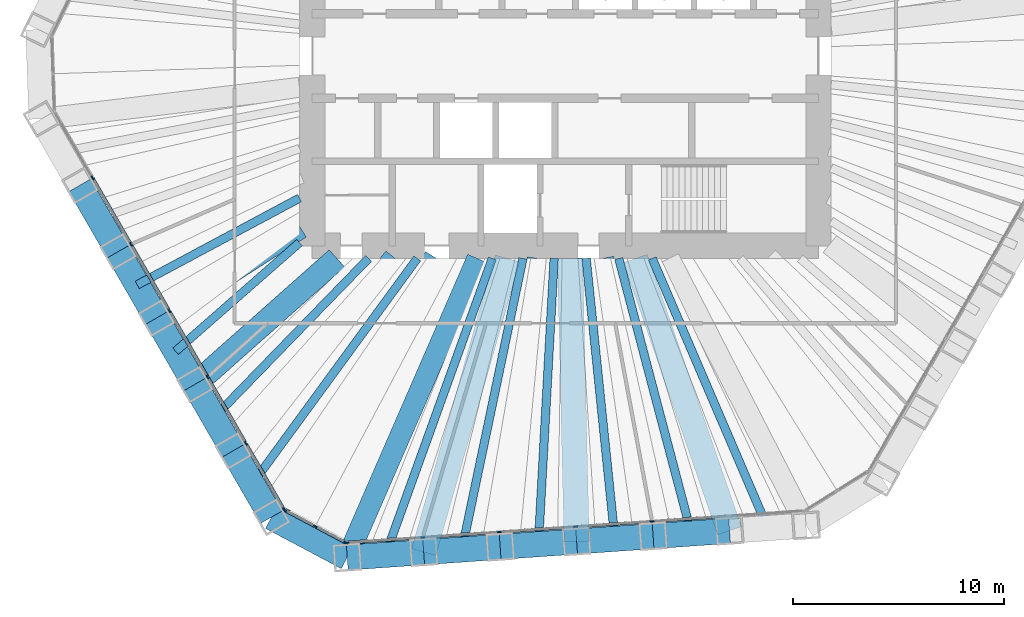
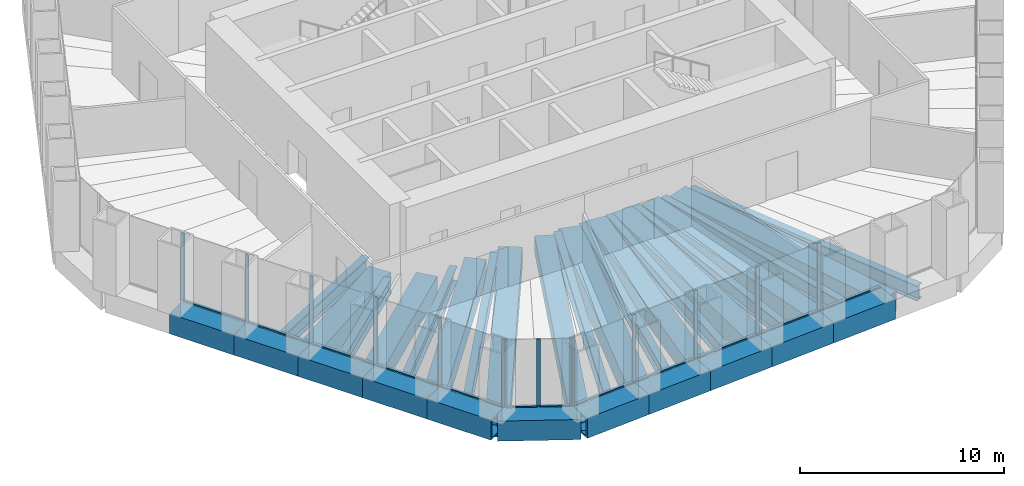
# One storey, part 2 of 20: 37 members, 20 beams, 3 elements without a shape of their own.
"""IFC4 building model written with IfcOpenShell, lengths in metres."""

import ifcopenshell
import ifcopenshell.guid

model = None  # the IFC model being written
_history = None  # IfcOwnerHistory: only IFC2X3 demands one
_inside = {}  # id of a spatial element -> (the spatial element, [elements in it])
_under = {}  # id of a project, library or spatial element -> (it, [spatial elements below it])
_declared = {}  # id of a project -> (the project, [libraries it declares])
_typed = {}  # id of a type object -> (the type object, [elements of that type])
_made_of = {}  # id of a material, layer set ... -> (it, [elements and type objects made of it])


def new_model(schema):
    """Start an empty IFC model of exactly this schema.

    Asked for "IFC4X3", IfcOpenShell would pick the latest addendum, in which some entities
    have other attributes; the version numbers below select the first issue.
    IFC2X3 requires an IfcOwnerHistory on every rooted entity: one is made here for all.
    """
    global model, _history
    if schema == "IFC4X3":
        model = ifcopenshell.file(schema_version=(4, 3, 0, 0))
    else:
        model = ifcopenshell.file(schema=schema)
    _inside.clear()
    _under.clear()
    _declared.clear()
    _typed.clear()
    _made_of.clear()
    _history = None
    if model.schema == "IFC2X3":
        org = make("IfcOrganization", Name="unknown")
        user = make(
            "IfcPersonAndOrganization",
            ThePerson=make("IfcPerson", FamilyName="unknown"),
            TheOrganization=org,
        )
        app = make(
            "IfcApplication",
            ApplicationDeveloper=org,
            Version="unknown",
            ApplicationFullName="unknown",
            ApplicationIdentifier="unknown",
        )
        _history = make(
            "IfcOwnerHistory",
            OwningUser=user,
            OwningApplication=app,
            ChangeAction="ADDED",
            CreationDate=0,
        )
    return model


def make(cls, **values):
    """One entity of the class cls with the attributes given. An attribute that is None is left unset."""
    return model.create_entity(
        cls, **{name: value for name, value in values.items() if value is not None}
    )


def rooted(cls, **values):
    """An entity with a GlobalId (a new one), such as an element, a storey or a relation."""
    return make(cls, GlobalId=ifcopenshell.guid.new(), OwnerHistory=_history, **values)


def si_unit(unit_type, name, prefix=None):
    """IfcSIUnit, for example si_unit("LENGTHUNIT", "METRE", prefix="MILLI")."""
    return make("IfcSIUnit", UnitType=unit_type, Prefix=prefix, Name=name)


def assignment(units):
    """IfcUnitAssignment: the units of a project."""
    return None if units is None else make("IfcUnitAssignment", Units=units)


def point(xyz):
    """IfcCartesianPoint."""
    return None if xyz is None else make("IfcCartesianPoint", Coordinates=xyz)


def direction(xyz):
    """IfcDirection."""
    return None if xyz is None else make("IfcDirection", DirectionRatios=xyz)


def frame(location, z_axis=None, x_axis=None):
    """IfcAxis2Placement3D, a coordinate frame: its origin and axes. An axis left out is left unset."""
    return make(
        "IfcAxis2Placement3D",
        Location=point(location),
        Axis=direction(z_axis),
        RefDirection=direction(x_axis),
    )


def frame_2d(location, x_axis=None):
    """IfcAxis2Placement2D, a coordinate frame in the plane: its origin and x axis."""
    return make(
        "IfcAxis2Placement2D", Location=point(location), RefDirection=direction(x_axis)
    )


def origin():
    """The frame at (0, 0, 0) with its axes left unset."""
    return frame((0.0, 0.0, 0.0))


def origin_2d():
    """The frame at (0, 0) in the plane with its x axis left unset."""
    return frame_2d((0.0, 0.0))


def place(relative_to, where):
    """IfcLocalPlacement: puts the frame where relative to a parent placement (None: the world)."""
    return make(
        "IfcLocalPlacement", PlacementRelTo=relative_to, RelativePlacement=where
    )


def context(
    kind, dimensions, precision=None, world=None, true_north=None, identifier=None
):
    """IfcGeometricRepresentationContext, for example the 3D "Model" context."""
    return make(
        "IfcGeometricRepresentationContext",
        ContextIdentifier=identifier,
        ContextType=kind,
        CoordinateSpaceDimension=dimensions,
        Precision=precision,
        WorldCoordinateSystem=world,
        TrueNorth=true_north,
    )


def subcontext(parent, identifier, kind, view, scale=None):
    """IfcGeometricRepresentationSubContext, for example "Body" below "Model"."""
    return make(
        "IfcGeometricRepresentationSubContext",
        ContextIdentifier=identifier,
        ContextType=kind,
        ParentContext=parent,
        TargetScale=scale,
        TargetView=view,
    )


def project(units=None, contexts=None):
    """IfcProject with its units and contexts."""
    return rooted(
        "IfcProject",
        Name="project",
        RepresentationContexts=contexts,
        UnitsInContext=assignment(units),
    )


def spatial(cls, under=None, at=None, **own):
    """A site, building, storey or space (cls), placed at a placement, below another one or the project."""
    s = rooted(cls, ObjectPlacement=at, **own)
    if under is not None:
        _under.setdefault(under.id(), (under, []))[1].append(s)
    return s


def profile(cls, at=None, kind="AREA", **sizes):
    """A parametric profile (cls). Its sizes go by their IFC names, for example OverallWidth=200.0."""
    return make(cls, ProfileType=kind, Position=at, **sizes)


def rectangle(**sizes):
    """IfcRectangleProfileDef."""
    return profile("IfcRectangleProfileDef", **sizes)


def hollow_rectangle(**sizes):
    """IfcRectangleHollowProfileDef."""
    return profile("IfcRectangleHollowProfileDef", **sizes)


def i_section(**sizes):
    """IfcIShapeProfileDef."""
    return profile("IfcIShapeProfileDef", **sizes)


def extrude(swept, where, along, depth):
    """IfcExtrudedAreaSolid: the profile swept, set in the frame where, extruded along a direction by depth."""
    return make(
        "IfcExtrudedAreaSolid",
        SweptArea=swept,
        Position=where,
        ExtrudedDirection=direction(along),
        Depth=depth,
    )


def shape(context_of_items, identifier, shape_type, items):
    """IfcShapeRepresentation: the items that make up one representation, for example the "Body"."""
    return make(
        "IfcShapeRepresentation",
        ContextOfItems=context_of_items,
        RepresentationIdentifier=identifier,
        RepresentationType=shape_type,
        Items=items,
    )


def material(Name=None, Category=None):
    """IfcMaterial."""
    return make("IfcMaterial", Name=Name, Category=Category)


def material_profile(
    of_material, cross_section, Name=None, Category=None, Priority=None
):
    """IfcMaterialProfile: a cross section and its material."""
    return make(
        "IfcMaterialProfile",
        Name=Name,
        Material=of_material,
        Profile=cross_section,
        Priority=Priority,
        Category=Category,
    )


def profile_set(profiles, Name=None, composite=None):
    """IfcMaterialProfileSet."""
    return make(
        "IfcMaterialProfileSet",
        Name=Name,
        MaterialProfiles=profiles,
        CompositeProfile=composite,
    )


def made_of(thing, what):
    """Note that an element or type object is made of a material, layer set ...; save() writes the relation."""
    if what is not None:
        _made_of.setdefault(what.id(), (what, []))[1].append(thing)
    return thing


def type_object(cls, material=None, **own):
    """A type object (cls), such as IfcWallType, which elements share."""
    return made_of(rooted(cls, **own), material)


def element(
    cls,
    number,
    at=None,
    inside=None,
    cuts=None,
    type_object=None,
    material=None,
    context=None,
    identifier="Body",
    shape_type=None,
    held_by="IfcProductDefinitionShape",
    body=None,
    shapes=None,
    **own,
):
    """One element of the class cls, such as IfcWall. Its Tag is "e" and its number.

    at: its placement. inside: the storey or other place that contains it. cuts: it is an
    opening in that element (IfcRelVoidsElement). A single representation is given by context,
    identifier, shape_type and body (its items); several are given by shapes. held_by: the class
    of the entity that holds the representations. save() writes the other relations.
    """
    e = rooted(cls, Tag="e%d" % number, ObjectPlacement=at, **own)
    if body is not None:
        shapes = [shape(context, identifier, shape_type, body)]
    if shapes is not None:
        e.Representation = make(held_by, Representations=shapes)
    if inside is not None:
        _inside.setdefault(inside.id(), (inside, []))[1].append(e)
    if cuts is not None:
        rooted(
            "IfcRelVoidsElement", RelatingBuildingElement=cuts, RelatedOpeningElement=e
        )
    if type_object is not None:
        _typed.setdefault(type_object.id(), (type_object, []))[1].append(e)
    return made_of(e, material)


def aggregate(whole, parts):
    """IfcRelAggregates: a whole, such as a stair, and the parts it consists of."""
    return rooted("IfcRelAggregates", RelatingObject=whole, RelatedObjects=parts)


def save(model, path):
    """Write the relations noted so far, then the file.

    IfcRelAggregates (storeys below a building ...), IfcRelContainedInSpatialStructure (elements
    in a storey), IfcRelDefinesByType, IfcRelAssociatesMaterial and IfcRelDeclares: one each for
    every whole, place, type object, material and project.
    """
    for whole, parts in _under.values():
        aggregate(whole, parts)
    for where, things in _inside.values():
        rooted(
            "IfcRelContainedInSpatialStructure",
            RelatedElements=things,
            RelatingStructure=where,
        )
    for kind, things in _typed.values():
        rooted("IfcRelDefinesByType", RelatedObjects=things, RelatingType=kind)
    for what, things in _made_of.values():
        rooted("IfcRelAssociatesMaterial", RelatedObjects=things, RelatingMaterial=what)
    for by, libraries in _declared.values():
        rooted("IfcRelDeclares", RelatingContext=by, RelatedDefinitions=libraries)
    model.write(path)


model = new_model("IFC4")

# Units and contexts
model_context = context("Model", 3, precision=1e-05, world=origin(), true_north=direction((0.0, 1.0)))
body_context = subcontext(model_context, "Body", "Model", "MODEL_VIEW")
ifc_project = project(units=[si_unit("LENGTHUNIT", "METRE"), si_unit("AREAUNIT", "SQUARE_METRE"), si_unit("VOLUMEUNIT", "CUBIC_METRE"), si_unit("PLANEANGLEUNIT", "RADIAN"), si_unit("MASSUNIT", "GRAM", prefix="KILO")], contexts=[model_context])

# Site, building, storey
site_placement = place(None, origin())
site = spatial("IfcSite", under=ifc_project, at=site_placement, CompositionType="ELEMENT")
building_placement = place(site_placement, origin())
building = spatial("IfcBuilding", under=site, at=building_placement, Name="Qingtian Harvest Tower", CompositionType="ELEMENT")
storey_placement = place(building_placement, frame((0.0, 0.0, 180.39990234375)))
storey = spatial("IfcBuildingStorey", under=building, at=storey_placement, Name="L38", CompositionType="ELEMENT", Elevation=180.39990234375)

# Members
ifc_material_1 = material(Name="Steel SM570MC", Category="steel")
ifc_material_profile_1 = material_profile(ifc_material_1, hollow_rectangle(XDim=1.199951171875, YDim=1.199951171875, WallThickness=0.10009765625, at=origin_2d()), Name="BOX1200x1200x100")
ifc_profile_set_1 = profile_set([ifc_material_profile_1], Name="Steel SM570MC")
member_type_1 = type_object("IfcMemberType", Name="Belt truss chord BC2 BOX1200x1200x100", PredefinedType="CHORD", material=ifc_profile_set_1)
for number, where, z_axis, x_axis, name in (
    (1, (7.78515625, -22.51171875, -0.599853515625), (-0.997565001055, -0.069742875402, 0.0), (0.069742875402, -0.997565001055, 0.0), "Belt chord BC2 S1"),
    (2, (4.160400390625, -22.76513671875, -0.599853515625), (-0.997560324246, -0.069809737785, 0.0), (0.069809737785, -0.997560324246, 0.0), "Belt chord BC2 S2"),
    (3, (0.53564453125, -23.018798828125, -0.599853515625), (-0.997565001055, -0.069742875402, 0.0), (0.069742875402, -0.997565001055, 0.0), "Belt chord BC2 S3"),
):
    element("IfcMember", number, at=place(storey_placement, frame(where, z_axis=z_axis, x_axis=x_axis)), inside=storey, type_object=member_type_1, Name=name, PredefinedType="CHORD", context=body_context, shape_type="SweptSolid", body=[
        extrude(hollow_rectangle(XDim=1.199951171875, YDim=1.199951171875, WallThickness=0.10009765625, at=origin_2d()), origin(), (0.0, 0.0, 1.0), 3.633544921875),
    ])
member_1_placement = place(storey_placement, frame((-3.089111328125, -23.272216796875, -0.599853515625), z_axis=(-0.997564674207, -0.069747550305, 0.0), x_axis=(0.069747550305, -0.997564674207, 0.0)))
element("IfcMember", 4, at=member_1_placement, inside=storey, type_object=member_type_1, Name="Belt chord BC2 S4", PredefinedType="CHORD", context=body_context, shape_type="SweptSolid", body=[
    extrude(hollow_rectangle(XDim=1.199951171875, YDim=1.199951171875, WallThickness=0.10009765625, at=origin_2d()), origin(), (0.0, 0.0, 1.0), 3.63330078125),
])
member_2_placement = place(storey_placement, frame((-6.713623046875, -23.525634765625, -0.599853515625), z_axis=(-0.997565001055, -0.069742875402, 0.0), x_axis=(0.069742875402, -0.997565001055, 0.0)))
element("IfcMember", 5, at=member_2_placement, inside=storey, type_object=member_type_1, Name="Belt chord BC2 S5", PredefinedType="CHORD", context=body_context, shape_type="SweptSolid", body=[
    extrude(hollow_rectangle(XDim=1.199951171875, YDim=1.199951171875, WallThickness=0.10009765625, at=origin_2d()), origin(), (0.0, 0.0, 1.0), 3.633544921875),
])
member_3_placement = place(storey_placement, frame((-10.33837890625, -23.779052734375, -0.599853515625), z_axis=(-0.882968133669, 0.469432929101, 0.0), x_axis=(-0.469432929101, -0.882968133669, 0.0)))
element("IfcMember", 6, at=member_3_placement, inside=storey, type_object=member_type_1, Name="Belt chord BC2 SC", PredefinedType="CHORD", context=body_context, shape_type="SweptSolid", body=[
    extrude(hollow_rectangle(XDim=1.199951171875, YDim=1.199951171875, WallThickness=0.10009765625, at=origin_2d()), origin(), (0.0, 0.0, 1.0), 4.070556640625),
])
member_4_placement = place(storey_placement, frame((-13.9326171875, -21.8681640625, -0.599853515625), z_axis=(-0.499947341849, 0.866055803848, 0.0), x_axis=(-0.866055803848, -0.499947341849, 0.0)))
element("IfcMember", 7, at=member_4_placement, inside=storey, type_object=member_type_1, Name="Belt chord BC2 SW0", PredefinedType="CHORD", context=body_context, shape_type="SweptSolid", body=[
    extrude(hollow_rectangle(XDim=1.199951171875, YDim=1.199951171875, WallThickness=0.10009765625, at=origin_2d()), origin(), (0.0, 0.0, 1.0), 3.6337890625),
])
for number, where, z_axis, x_axis, name in (
    (8, (-15.749267578125, -18.72119140625, -0.599853515625), (-0.500026827678, 0.866009914263, 0.0), (-0.866009914263, -0.500026827678, 0.0), "Belt chord BC2 SW1"),
    (9, (-17.566162109375, -15.574462890625, -0.599853515625), (-0.499976434558, 0.866039008871, 0.0), (-0.866039008871, -0.499976434558, 0.0), "Belt chord BC2 SW2"),
    (10, (-19.3828125, -12.427734375, -0.599853515625), (-0.500026827678, 0.866009914263, 0.0), (-0.866009914263, -0.500026827678, 0.0), "Belt chord BC2 SW3"),
    (11, (-21.19970703125, -9.281005859375, -0.599853515625), (-0.499976434558, 0.866039008871, 0.0), (-0.866039008871, -0.499976434558, 0.0), "Belt chord BC2 SW4"),
):
    element("IfcMember", number, at=place(storey_placement, frame(where, z_axis=z_axis, x_axis=x_axis)), inside=storey, type_object=member_type_1, Name=name, PredefinedType="CHORD", context=body_context, shape_type="SweptSolid", body=[
        extrude(hollow_rectangle(XDim=1.199951171875, YDim=1.199951171875, WallThickness=0.10009765625, at=origin_2d()), origin(), (0.0, 0.0, 1.0), 3.633544921875),
    ])

# Beams
ifc_material_2 = material(Name="Steel SN490B", Category="steel")
ifc_material_profile_2 = material_profile(ifc_material_2, i_section(OverallWidth=0.39990234375, OverallDepth=0.89990234375, WebThickness=0.01904296875, FlangeThickness=0.035888671875, at=origin_2d()), Name="H900x400x19x36")
ifc_profile_set_2 = profile_set([ifc_material_profile_2], Name="Steel SN490B")
beam_type_1 = type_object("IfcBeamType", Name="Floor joist J4 H900x400x19x36", PredefinedType="JOIST", material=ifc_profile_set_2)
beam_1_placement = place(storey_placement, frame((9.597412109375, -22.385009765625, -0.619873046875), z_axis=(-0.394052741766, 0.919087828614, 0.0), x_axis=(-0.919087828614, -0.394052741766, 0.0)))
element("IfcBeam", 12, at=beam_1_placement, inside=storey, type_object=beam_type_1, Name="Floor joist J4 S0", PredefinedType="JOIST", context=body_context, shape_type="SweptSolid", body=[
    extrude(i_section(OverallWidth=0.39990234375, OverallDepth=0.89990234375, WebThickness=0.01904296875, FlangeThickness=0.035888671875, at=origin_2d()), origin(), (0.0, 0.0, 1.0), 13.910400390625),
])
beam_2_placement = place(storey_placement, frame((5.97265625, -22.638427734375, -0.619873046875), z_axis=(-0.255103716232, 0.9669136952, 0.0), x_axis=(-0.9669136952, -0.255103716232, 0.0)))
element("IfcBeam", 13, at=beam_2_placement, inside=storey, type_object=beam_type_1, Name="Floor joist J4 S1", PredefinedType="JOIST", context=body_context, shape_type="SweptSolid", body=[
    extrude(i_section(OverallWidth=0.39990234375, OverallDepth=0.89990234375, WebThickness=0.01904296875, FlangeThickness=0.035888671875, at=origin_2d()), origin(), (0.0, 0.0, 1.0), 13.484375),
])
beam_3_placement = place(storey_placement, frame((2.347900390625, -22.89208984375, -0.619873046875), z_axis=(-0.102028865499, 0.994781438611, 0.0), x_axis=(-0.994781438611, -0.102028865499, 0.0)))
element("IfcBeam", 14, at=beam_3_placement, inside=storey, type_object=beam_type_1, Name="Floor joist J4 S2", PredefinedType="JOIST", context=body_context, shape_type="SweptSolid", body=[
    extrude(i_section(OverallWidth=0.39990234375, OverallDepth=0.89990234375, WebThickness=0.01904296875, FlangeThickness=0.035888671875, at=origin_2d()), origin(), (0.0, 0.0, 1.0), 13.36181640625),
])
beam_4_placement = place(storey_placement, frame((-1.276611328125, -23.1455078125, -0.619873046875), z_axis=(0.055069329716, 0.998482533109, 0.0), x_axis=(-0.998482533109, 0.055069329716, 0.0)))
element("IfcBeam", 15, at=beam_4_placement, inside=storey, type_object=beam_type_1, Name="Floor joist J4 S3", PredefinedType="JOIST", context=body_context, shape_type="SweptSolid", body=[
    extrude(i_section(OverallWidth=0.39990234375, OverallDepth=0.89990234375, WebThickness=0.01904296875, FlangeThickness=0.035888671875, at=origin_2d()), origin(), (0.0, 0.0, 1.0), 13.56591796875),
])
beam_5_placement = place(storey_placement, frame((-4.9013671875, -23.39892578125, -0.619873046875), z_axis=(0.205016322093, 0.978758554331, 0.0), x_axis=(-0.978758554331, 0.205016322093, 0.0)))
element("IfcBeam", 16, at=beam_5_placement, inside=storey, type_object=beam_type_1, Name="Floor joist J4 S4", PredefinedType="JOIST", context=body_context, shape_type="SweptSolid", body=[
    extrude(i_section(OverallWidth=0.39990234375, OverallDepth=0.89990234375, WebThickness=0.01904296875, FlangeThickness=0.035888671875, at=origin_2d()), origin(), (0.0, 0.0, 1.0), 14.098388671875),
])
beam_6_placement = place(storey_placement, frame((-8.526123046875, -23.65234375, -0.619873046875), z_axis=(0.339126305921, 0.940740850943, 0.0), x_axis=(-0.940740850943, 0.339126305921, 0.0)))
element("IfcBeam", 17, at=beam_6_placement, inside=storey, type_object=beam_type_1, Name="Floor joist J4 S5", PredefinedType="JOIST", context=body_context, shape_type="SweptSolid", body=[
    extrude(i_section(OverallWidth=0.39990234375, OverallDepth=0.89990234375, WebThickness=0.01904296875, FlangeThickness=0.035888671875, at=origin_2d()), origin(), (0.0, 0.0, 1.0), 14.9375),
])
beam_7_placement = place(storey_placement, frame((-14.841064453125, -20.294677734375, -0.619873046875), z_axis=(0.590288677526, 0.807192218238, 0.0), x_axis=(-0.807192218238, 0.590288677526, 0.0)))
element("IfcBeam", 18, at=beam_7_placement, inside=storey, type_object=beam_type_1, Name="Floor joist J4 SW0", PredefinedType="JOIST", context=body_context, shape_type="SweptSolid", body=[
    extrude(i_section(OverallWidth=0.39990234375, OverallDepth=0.89990234375, WebThickness=0.01904296875, FlangeThickness=0.035888671875, at=origin_2d()), origin(), (0.0, 0.0, 1.0), 13.2490234375),
])
beam_8_placement = place(storey_placement, frame((-16.65771484375, -17.14794921875, -0.619873046875), z_axis=(0.696777499009, 0.717287332158, 0.0), x_axis=(-0.717287332158, 0.696777499009, 0.0)))
element("IfcBeam", 19, at=beam_8_placement, inside=storey, type_object=beam_type_1, Name="Floor joist J4 SW1", PredefinedType="JOIST", context=body_context, shape_type="SweptSolid", body=[
    extrude(i_section(OverallWidth=0.39990234375, OverallDepth=0.89990234375, WebThickness=0.01904296875, FlangeThickness=0.035888671875, at=origin_2d()), origin(), (0.0, 0.0, 1.0), 10.522705078125),
])
beam_9_placement = place(storey_placement, frame((-18.474609375, -14.001220703125, -0.619873046875), z_axis=(0.751883296969, 0.659296221542, 0.0), x_axis=(-0.659296221542, 0.751883296969, 0.0)))
element("IfcBeam", 20, at=beam_9_placement, inside=storey, type_object=beam_type_1, Name="Floor joist J4 SW2", PredefinedType="JOIST", context=body_context, shape_type="SweptSolid", body=[
    extrude(i_section(OverallWidth=0.39990234375, OverallDepth=0.89990234375, WebThickness=0.01904296875, FlangeThickness=0.035888671875, at=origin_2d()), origin(), (0.0, 0.0, 1.0), 7.81298828125),
])
beam_10_placement = place(storey_placement, frame((-20.291259765625, -10.8544921875, -0.619873046875), z_axis=(0.881766503154, 0.471686160402, 0.0), x_axis=(-0.471686160402, 0.881766503154, 0.0)))
element("IfcBeam", 21, at=beam_10_placement, inside=storey, type_object=beam_type_1, Name="Floor joist J4 SW3", PredefinedType="JOIST", context=body_context, shape_type="SweptSolid", body=[
    extrude(i_section(OverallWidth=0.39990234375, OverallDepth=0.89990234375, WebThickness=0.01904296875, FlangeThickness=0.035888671875, at=origin_2d()), origin(), (0.0, 0.0, 1.0), 8.722412109375),
])

# Curtain wall, members
ifc_material_3 = material(Name="Bronze-anodised aluminium curtain wall", Category="aluminium")
curtain_wall_type = type_object("IfcCurtainWallType", Name="Curtain wall CW3 sky lobby", PredefinedType="USERDEFINED", material=ifc_material_3)
curtain_wall_1_placement = place(storey_placement, origin())
curtain_wall_1 = element("IfcCurtainWall", 22, at=curtain_wall_1_placement, inside=storey, type_object=curtain_wall_type, Name="Curtain wall CW3 L38 S0-5", ObjectType="RECESSED CURTAIN WALL", PredefinedType="USERDEFINED")
ifc_material_4 = material(Name="Bronze-anodised aluminium mullion", Category="aluminium")
ifc_material_profile_3 = material_profile(ifc_material_4, rectangle(XDim=0.06494140625, YDim=0.199951171875, at=origin_2d()), Name="AL 65x200")
ifc_profile_set_3 = profile_set([ifc_material_profile_3], Name="Bronze-anodised aluminium mullion")
member_type_2 = type_object("IfcMemberType", Name="Mullion CWM 65x200", PredefinedType="MULLION", material=ifc_profile_set_3)
member_5_placement = place(storey_placement, frame((4.111572265625, -22.06689453125, 0.0), z_axis=(0.0, 0.0, 1.0), x_axis=(0.069756473744, -0.99756405026, 0.0)))
member_5 = element("IfcMember", 23, at=member_5_placement, type_object=member_type_2, Name="CW3 mullion 3", PredefinedType="MULLION", context=body_context, shape_type="SweptSolid", body=[
    extrude(rectangle(XDim=0.06494140625, YDim=0.199951171875, at=origin_2d()), origin(), (0.0, 0.0, 1.0), 4.030029296875),
])
member_6_placement = place(storey_placement, frame((0.48681640625, -22.3203125, 0.0), z_axis=(0.0, 0.0, 1.0), x_axis=(0.069756473744, -0.99756405026, 0.0)))
member_6 = element("IfcMember", 24, at=member_6_placement, type_object=member_type_2, Name="CW3 mullion 4", PredefinedType="MULLION", context=body_context, shape_type="SweptSolid", body=[
    extrude(rectangle(XDim=0.06494140625, YDim=0.199951171875, at=origin_2d()), origin(), (0.0, 0.0, 1.0), 4.030029296875),
])
member_7_placement = place(storey_placement, frame((-3.137939453125, -22.573974609375, 0.0), z_axis=(0.0, 0.0, 1.0), x_axis=(0.069756473744, -0.99756405026, 0.0)))
member_7 = element("IfcMember", 25, at=member_7_placement, type_object=member_type_2, Name="CW3 mullion 5", PredefinedType="MULLION", context=body_context, shape_type="SweptSolid", body=[
    extrude(rectangle(XDim=0.06494140625, YDim=0.199951171875, at=origin_2d()), origin(), (0.0, 0.0, 1.0), 4.030029296875),
])
member_8_placement = place(storey_placement, frame((-6.762451171875, -22.827392578125, 0.0), z_axis=(0.0, 0.0, 1.0), x_axis=(0.069756473744, -0.99756405026, 0.0)))
member_8 = element("IfcMember", 26, at=member_8_placement, type_object=member_type_2, Name="CW3 mullion 6", PredefinedType="MULLION", context=body_context, shape_type="SweptSolid", body=[
    extrude(rectangle(XDim=0.06494140625, YDim=0.199951171875, at=origin_2d()), origin(), (0.0, 0.0, 1.0), 4.030029296875),
])
member_9_placement = place(storey_placement, frame((-10.354736328125, -23.07861328125, 0.0), z_axis=(0.0, 0.0, 1.0), x_axis=(0.069756473744, -0.99756405026, 0.0)))
member_9 = element("IfcMember", 27, at=member_9_placement, type_object=member_type_2, Name="CW3 mullion 7", PredefinedType="MULLION", context=body_context, shape_type="SweptSolid", body=[
    extrude(rectangle(XDim=0.06494140625, YDim=0.199951171875, at=origin_2d()), origin(), (0.0, 0.0, 1.0), 4.030029296875),
])

curtain_wall_2_placement = place(storey_placement, origin())
curtain_wall_2 = element("IfcCurtainWall", 28, at=curtain_wall_2_placement, inside=storey, type_object=curtain_wall_type, Name="Curtain wall CW3 L38 SC", ObjectType="RECESSED CURTAIN WALL", PredefinedType="USERDEFINED")
member_10_placement = place(storey_placement, frame((-10.416015625, -23.0654296875, 0.0), z_axis=(0.0, 0.0, 1.0), x_axis=(-0.469471562786, -0.882947592859, 0.0)))
member_10 = element("IfcMember", 29, at=member_10_placement, type_object=member_type_2, Name="CW3 mullion 1", PredefinedType="MULLION", context=body_context, shape_type="SweptSolid", body=[
    extrude(rectangle(XDim=0.06494140625, YDim=0.199951171875, at=origin_2d()), origin(), (0.0, 0.0, 1.0), 4.030029296875),
])
member_11_placement = place(storey_placement, frame((-11.85693359375, -22.29931640625, 0.0), z_axis=(0.0, 0.0, 1.0), x_axis=(-0.469471562786, -0.882947592859, 0.0)))
member_11 = element("IfcMember", 30, at=member_11_placement, type_object=member_type_2, Name="CW3 mullion 2", PredefinedType="MULLION", context=body_context, shape_type="SweptSolid", body=[
    extrude(rectangle(XDim=0.06494140625, YDim=0.199951171875, at=origin_2d()), origin(), (0.0, 0.0, 1.0), 4.030029296875),
])
member_12_placement = place(storey_placement, frame((-13.297607421875, -21.533203125, 0.0), z_axis=(0.0, 0.0, 1.0), x_axis=(-0.469471562786, -0.882947592859, 0.0)))
member_12 = element("IfcMember", 31, at=member_12_placement, type_object=member_type_2, Name="CW3 mullion 3", PredefinedType="MULLION", context=body_context, shape_type="SweptSolid", body=[
    extrude(rectangle(XDim=0.06494140625, YDim=0.199951171875, at=origin_2d()), origin(), (0.0, 0.0, 1.0), 4.030029296875),
])

curtain_wall_3_placement = place(storey_placement, origin())
curtain_wall_3 = element("IfcCurtainWall", 32, at=curtain_wall_3_placement, inside=storey, type_object=curtain_wall_type, Name="Curtain wall CW3 L38 SW0-5", ObjectType="RECESSED CURTAIN WALL", PredefinedType="USERDEFINED")
member_13_placement = place(storey_placement, frame((-13.342529296875, -21.489990234375, 0.0), z_axis=(0.0, 0.0, 1.0), x_axis=(-0.866025403784, -0.5, 0.0)))
member_13 = element("IfcMember", 33, at=member_13_placement, type_object=member_type_2, Name="CW3 mullion 1", PredefinedType="MULLION", context=body_context, shape_type="SweptSolid", body=[
    extrude(rectangle(XDim=0.06494140625, YDim=0.199951171875, at=origin_2d()), origin(), (0.0, 0.0, 1.0), 4.030029296875),
])
member_14_placement = place(storey_placement, frame((-15.14306640625, -18.371337890625, 0.0), z_axis=(0.0, 0.0, 1.0), x_axis=(-0.866025403784, -0.5, 0.0)))
member_14 = element("IfcMember", 34, at=member_14_placement, type_object=member_type_2, Name="CW3 mullion 2", PredefinedType="MULLION", context=body_context, shape_type="SweptSolid", body=[
    extrude(rectangle(XDim=0.06494140625, YDim=0.199951171875, at=origin_2d()), origin(), (0.0, 0.0, 1.0), 4.030029296875),
])
member_15_placement = place(storey_placement, frame((-16.9599609375, -15.224609375, 0.0), z_axis=(0.0, 0.0, 1.0), x_axis=(-0.866025403784, -0.5, 0.0)))
member_15 = element("IfcMember", 35, at=member_15_placement, type_object=member_type_2, Name="CW3 mullion 3", PredefinedType="MULLION", context=body_context, shape_type="SweptSolid", body=[
    extrude(rectangle(XDim=0.06494140625, YDim=0.199951171875, at=origin_2d()), origin(), (0.0, 0.0, 1.0), 4.030029296875),
])
member_16_placement = place(storey_placement, frame((-18.776611328125, -12.077880859375, 0.0), z_axis=(0.0, 0.0, 1.0), x_axis=(-0.866025403784, -0.5, 0.0)))
member_16 = element("IfcMember", 36, at=member_16_placement, type_object=member_type_2, Name="CW3 mullion 4", PredefinedType="MULLION", context=body_context, shape_type="SweptSolid", body=[
    extrude(rectangle(XDim=0.06494140625, YDim=0.199951171875, at=origin_2d()), origin(), (0.0, 0.0, 1.0), 4.030029296875),
])
member_17_placement = place(storey_placement, frame((-20.593505859375, -8.93115234375, 0.0), z_axis=(0.0, 0.0, 1.0), x_axis=(-0.866025403784, -0.5, 0.0)))
member_17 = element("IfcMember", 37, at=member_17_placement, type_object=member_type_2, Name="CW3 mullion 5", PredefinedType="MULLION", context=body_context, shape_type="SweptSolid", body=[
    extrude(rectangle(XDim=0.06494140625, YDim=0.199951171875, at=origin_2d()), origin(), (0.0, 0.0, 1.0), 4.030029296875),
])
member_18_placement = place(storey_placement, frame((-22.41015625, -5.784423828125, 0.0), z_axis=(0.0, 0.0, 1.0), x_axis=(-0.866025403784, -0.5, 0.0)))
member_18 = element("IfcMember", 38, at=member_18_placement, type_object=member_type_2, Name="CW3 mullion 6", PredefinedType="MULLION", context=body_context, shape_type="SweptSolid", body=[
    extrude(rectangle(XDim=0.06494140625, YDim=0.199951171875, at=origin_2d()), origin(), (0.0, 0.0, 1.0), 4.030029296875),
])

# Beams
ifc_material_5 = material(Name="Steel SM570MC", Category="steel")
ifc_material_profile_4 = material_profile(ifc_material_5, hollow_rectangle(XDim=1.199951171875, YDim=1.199951171875, WallThickness=0.10009765625, at=origin_2d()), Name="BOX1200x1200x100")
ifc_profile_set_4 = profile_set([ifc_material_profile_4], Name="Steel SM570MC")
beam_type_2 = type_object("IfcBeamType", Name="Outrigger chord beam OC2 BOX1200x1200x100", PredefinedType="BEAM", material=ifc_profile_set_4)
beam_11_placement = place(storey_placement, frame((7.78515625, -22.51171875, -0.77001953125), z_axis=(-0.326844175409, 0.945078242793, 0.0), x_axis=(-0.945078242793, -0.326844175409, 0.0)))
element("IfcBeam", 39, at=beam_11_placement, inside=storey, type_object=beam_type_2, Name="Floor beam OC2 S1", PredefinedType="BEAM", context=body_context, shape_type="SweptSolid", body=[
    extrude(hollow_rectangle(XDim=1.199951171875, YDim=1.199951171875, WallThickness=0.10009765625, at=origin_2d()), origin(), (0.0, 0.0, 1.0), 13.661865234375),
])
beam_12_placement = place(storey_placement, frame((0.53564453125, -23.018798828125, -0.77001953125), z_axis=(-0.023263902078, 0.999729358807, 0.0), x_axis=(-0.999729358807, -0.023263902078, 0.0)))
element("IfcBeam", 40, at=beam_12_placement, inside=storey, type_object=beam_type_2, Name="Floor beam OC2 S3", PredefinedType="BEAM", context=body_context, shape_type="SweptSolid", body=[
    extrude(hollow_rectangle(XDim=1.199951171875, YDim=1.199951171875, WallThickness=0.10009765625, at=origin_2d()), origin(), (0.0, 0.0, 1.0), 13.42236328125),
])
beam_13_placement = place(storey_placement, frame((-6.713623046875, -23.525634765625, -0.77001953125), z_axis=(0.274411610503, 0.961612327303, 0.0), x_axis=(-0.961612327303, 0.274411610503, 0.0)))
element("IfcBeam", 41, at=beam_13_placement, inside=storey, type_object=beam_type_2, Name="Floor beam OC2 S5", PredefinedType="BEAM", context=body_context, shape_type="SweptSolid", body=[
    extrude(hollow_rectangle(XDim=1.199951171875, YDim=1.199951171875, WallThickness=0.10009765625, at=origin_2d()), origin(), (0.0, 0.0, 1.0), 14.4814453125),
])
beam_14_placement = place(storey_placement, frame((-13.9326171875, -21.8681640625, -0.77001953125), z_axis=(0.537326103898, 0.8433745657, 0.0), x_axis=(-0.8433745657, 0.537326103898, 0.0)))
element("IfcBeam", 42, at=beam_14_placement, inside=storey, type_object=beam_type_2, Name="Floor beam OC2 SW0", PredefinedType="BEAM", context=body_context, shape_type="SweptSolid", body=[
    extrude(hollow_rectangle(XDim=1.199951171875, YDim=1.199951171875, WallThickness=0.10009765625, at=origin_2d()), origin(), (0.0, 0.0, 1.0), 14.54638671875),
])
beam_15_placement = place(storey_placement, frame((-19.3828125, -12.427734375, -0.77001953125), z_axis=(0.841823714388, 0.539752567288, 0.0), x_axis=(-0.539752567288, 0.841823714388, 0.0)))
element("IfcBeam", 43, at=beam_15_placement, inside=storey, type_object=beam_type_2, Name="Floor beam OC2 SW3", PredefinedType="BEAM", context=body_context, shape_type="SweptSolid", body=[
    extrude(hollow_rectangle(XDim=1.199951171875, YDim=1.199951171875, WallThickness=0.10009765625, at=origin_2d()), origin(), (0.0, 0.0, 1.0), 8.05712890625),
])
ifc_material_6 = material(Name="Steel SM570MC", Category="steel")
ifc_material_profile_5 = material_profile(ifc_material_6, hollow_rectangle(XDim=1.0, YDim=1.0, WallThickness=0.080078125, at=origin_2d()), Name="BOX1000x1000x80")
ifc_profile_set_5 = profile_set([ifc_material_profile_5], Name="Steel SM570MC")
beam_type_3 = type_object("IfcBeamType", Name="Transfer corner beam FB11 BOX1000x1000x80", PredefinedType="BEAM", material=ifc_profile_set_5)
beam_16_placement = place(storey_placement, frame((-10.33837890625, -23.779052734375, -0.669921875), z_axis=(0.398714563353, 0.917075077063, 0.0), x_axis=(-0.917075077063, 0.398714563353, 0.0)))
element("IfcBeam", 44, at=beam_16_placement, inside=storey, type_object=beam_type_3, Name="Floor beam FB11 S6", PredefinedType="BEAM", context=body_context, shape_type="SweptSolid", body=[
    extrude(hollow_rectangle(XDim=1.0, YDim=1.0, WallThickness=0.080078125, at=origin_2d()), origin(), (0.0, 0.0, 1.0), 15.461181640625),
])
ifc_material_7 = material(Name="Steel SM570MC", Category="steel")
ifc_material_profile_6 = material_profile(ifc_material_7, hollow_rectangle(XDim=1.10009765625, YDim=1.10009765625, WallThickness=0.10009765625, at=origin_2d()), Name="BOX1100x1100x100")
ifc_profile_set_6 = profile_set([ifc_material_profile_6], Name="Steel SM570MC")
beam_type_4 = type_object("IfcBeamType", Name="Transfer floor beam FB9 BOX1100x1100x100", PredefinedType="BEAM", material=ifc_profile_set_6)
beam_17_placement = place(storey_placement, frame((4.160400390625, -22.76513671875, -0.719970703125), z_axis=(-0.179779537209, 0.983706926885, 0.0), x_axis=(-0.983706926885, -0.179779537209, 0.0)))
element("IfcBeam", 45, at=beam_17_placement, inside=storey, type_object=beam_type_4, Name="Floor beam FB9 S2", PredefinedType="BEAM", context=body_context, shape_type="SweptSolid", body=[
    extrude(hollow_rectangle(XDim=1.10009765625, YDim=1.10009765625, WallThickness=0.10009765625, at=origin_2d()), origin(), (0.0, 0.0, 1.0), 13.383056640625),
])
beam_18_placement = place(storey_placement, frame((-3.089111328125, -23.272216796875, -0.719970703125), z_axis=(0.131593229442, 0.991303799027, 0.0), x_axis=(-0.991303799027, 0.131593229442, 0.0)))
element("IfcBeam", 46, at=beam_18_placement, inside=storey, type_object=beam_type_4, Name="Floor beam FB9 S4", PredefinedType="BEAM", context=body_context, shape_type="SweptSolid", body=[
    extrude(hollow_rectangle(XDim=1.10009765625, YDim=1.10009765625, WallThickness=0.10009765625, at=origin_2d()), origin(), (0.0, 0.0, 1.0), 13.7919921875),
])
beam_19_placement = place(storey_placement, frame((-15.749267578125, -18.72119140625, -0.719970703125), z_axis=(0.643763532906, 0.765224485821, 0.0), x_axis=(-0.765224485821, 0.643763532906, 0.0)))
element("IfcBeam", 47, at=beam_19_placement, inside=storey, type_object=beam_type_4, Name="Floor beam FB9 SW1", PredefinedType="BEAM", context=body_context, shape_type="SweptSolid", body=[
    extrude(hollow_rectangle(XDim=1.10009765625, YDim=1.10009765625, WallThickness=0.10009765625, at=origin_2d()), origin(), (0.0, 0.0, 1.0), 11.91943359375),
])
beam_20_placement = place(storey_placement, frame((-17.566162109375, -15.574462890625, -0.719970703125), z_axis=(0.748259768664, 0.663405847577, 0.0), x_axis=(-0.663405847577, 0.748259768664, 0.0)))
element("IfcBeam", 48, at=beam_20_placement, inside=storey, type_object=beam_type_4, Name="Floor beam FB9 SW2", PredefinedType="BEAM", context=body_context, shape_type="SweptSolid", body=[
    extrude(hollow_rectangle(XDim=1.10009765625, YDim=1.10009765625, WallThickness=0.10009765625, at=origin_2d()), origin(), (0.0, 0.0, 1.0), 9.005615234375),
])

# Member
ifc_material_8 = material(Name="Bronze-anodised aluminium transom", Category="aluminium")
ifc_material_profile_7 = material_profile(ifc_material_8, rectangle(XDim=0.14990234375, YDim=0.06494140625, at=origin_2d()), Name="AL 65x150")
ifc_profile_set_7 = profile_set([ifc_material_profile_7], Name="Bronze-anodised aluminium transom")
member_type_3 = type_object("IfcMemberType", Name="Transom CWT 65x150", PredefinedType="USERDEFINED", material=ifc_profile_set_7)
member_19_placement = place(storey_placement, frame((7.703857421875, -21.815673828125, 0.03271484375), z_axis=(-0.997562159126, -0.069783512949, 0.0), x_axis=(0.069783512949, -0.997562159126, 0.0)))
member_19 = element("IfcMember", 49, at=member_19_placement, type_object=member_type_3, Name="CW3 transom 2.1", ObjectType="TRANSOM", PredefinedType="USERDEFINED", context=body_context, shape_type="SweptSolid", body=[
    extrude(rectangle(XDim=0.14990234375, YDim=0.06494140625, at=origin_2d()), origin(), (0.0, 0.0, 1.0), 3.568603515625),
])

member_20_placement = place(storey_placement, frame((4.0791015625, -22.0693359375, 0.03271484375), z_axis=(-0.99756691944, -0.069715430417, 0.0), x_axis=(0.069715430417, -0.99756691944, 0.0)))
member_20 = element("IfcMember", 50, at=member_20_placement, type_object=member_type_3, Name="CW3 transom 3.1", ObjectType="TRANSOM", PredefinedType="USERDEFINED", context=body_context, shape_type="SweptSolid", body=[
    extrude(rectangle(XDim=0.14990234375, YDim=0.06494140625, at=origin_2d()), origin(), (0.0, 0.0, 1.0), 3.568603515625),
])

member_21_placement = place(storey_placement, frame((0.454345703125, -22.32275390625, 0.03271484375), z_axis=(-0.99756691944, -0.069715430417, 0.0), x_axis=(0.069715430417, -0.99756691944, 0.0)))
member_21 = element("IfcMember", 51, at=member_21_placement, type_object=member_type_3, Name="CW3 transom 4.1", ObjectType="TRANSOM", PredefinedType="USERDEFINED", context=body_context, shape_type="SweptSolid", body=[
    extrude(rectangle(XDim=0.14990234375, YDim=0.06494140625, at=origin_2d()), origin(), (0.0, 0.0, 1.0), 3.568603515625),
])

member_22_placement = place(storey_placement, frame((-3.170166015625, -22.576171875, 0.03271484375), z_axis=(-0.997567251922, -0.069710672727, 0.0), x_axis=(0.069710672727, -0.997567251922, 0.0)))
member_22 = element("IfcMember", 52, at=member_22_placement, type_object=member_type_3, Name="CW3 transom 5.1", ObjectType="TRANSOM", PredefinedType="USERDEFINED", context=body_context, shape_type="SweptSolid", body=[
    extrude(rectangle(XDim=0.14990234375, YDim=0.06494140625, at=origin_2d()), origin(), (0.0, 0.0, 1.0), 3.56884765625),
])

member_23_placement = place(storey_placement, frame((-6.794921875, -22.82958984375, 0.03271484375), z_axis=(-0.997565839557, -0.069730880888, 0.0), x_axis=(0.069730880888, -0.997565839557, 0.0)))
member_23 = element("IfcMember", 53, at=member_23_placement, type_object=member_type_3, Name="CW3 transom 6.1", ObjectType="TRANSOM", PredefinedType="USERDEFINED", context=body_context, shape_type="SweptSolid", body=[
    extrude(rectangle(XDim=0.14990234375, YDim=0.06494140625, at=origin_2d()), origin(), (0.0, 0.0, 1.0), 3.5361328125),
])

aggregate(curtain_wall_1, [member_5, member_6, member_7, member_8, member_9, member_19, member_20, member_21, member_22, member_23])

member_24_placement = place(storey_placement, frame((-10.444580078125, -23.05029296875, 0.03271484375), z_axis=(-0.882960338349, 0.46944759122, 0.0), x_axis=(-0.46944759122, -0.882960338349, 0.0)))
member_24 = element("IfcMember", 54, at=member_24_placement, type_object=member_type_3, Name="CW3 transom 1.1", ObjectType="TRANSOM", PredefinedType="USERDEFINED", context=body_context, shape_type="SweptSolid", body=[
    extrude(rectangle(XDim=0.14990234375, YDim=0.06494140625, at=origin_2d()), origin(), (0.0, 0.0, 1.0), 1.56689453125),
])

member_25_placement = place(storey_placement, frame((-11.885498046875, -22.2841796875, 0.03271484375), z_axis=(-0.882960338349, 0.46944759122, 0.0), x_axis=(-0.46944759122, -0.882960338349, 0.0)))
member_25 = element("IfcMember", 55, at=member_25_placement, type_object=member_type_3, Name="CW3 transom 2.1", ObjectType="TRANSOM", PredefinedType="USERDEFINED", context=body_context, shape_type="SweptSolid", body=[
    extrude(rectangle(XDim=0.14990234375, YDim=0.06494140625, at=origin_2d()), origin(), (0.0, 0.0, 1.0), 1.56689453125),
])

aggregate(curtain_wall_2, [member_10, member_11, member_12, member_24, member_25])

member_26_placement = place(storey_placement, frame((-13.35888671875, -21.461669921875, 0.03271484375), z_axis=(-0.500015305566, 0.866016566931, 0.0), x_axis=(-0.866016566931, -0.500015305566, 0.0)))
member_26 = element("IfcMember", 56, at=member_26_placement, type_object=member_type_3, Name="CW3 transom 1.1", ObjectType="TRANSOM", PredefinedType="USERDEFINED", context=body_context, shape_type="SweptSolid", body=[
    extrude(rectangle(XDim=0.14990234375, YDim=0.06494140625, at=origin_2d()), origin(), (0.0, 0.0, 1.0), 3.5361328125),
])

member_27_placement = place(storey_placement, frame((-15.159423828125, -18.34326171875, 0.03271484375), z_axis=(-0.499965259726, 0.866045460162, 0.0), x_axis=(-0.866045460162, -0.499965259726, 0.0)))
member_27 = element("IfcMember", 57, at=member_27_placement, type_object=member_type_3, Name="CW3 transom 2.1", ObjectType="TRANSOM", PredefinedType="USERDEFINED", context=body_context, shape_type="SweptSolid", body=[
    extrude(rectangle(XDim=0.14990234375, YDim=0.06494140625, at=origin_2d()), origin(), (0.0, 0.0, 1.0), 3.568603515625),
])

member_28_placement = place(storey_placement, frame((-16.97607421875, -15.1962890625, 0.03271484375), z_axis=(-0.500046194516, 0.865998731726, 0.0), x_axis=(-0.865998731726, -0.500046194516, 0.0)))
member_28 = element("IfcMember", 58, at=member_28_placement, type_object=member_type_3, Name="CW3 transom 3.1", ObjectType="TRANSOM", PredefinedType="USERDEFINED", context=body_context, shape_type="SweptSolid", body=[
    extrude(rectangle(XDim=0.14990234375, YDim=0.06494140625, at=origin_2d()), origin(), (0.0, 0.0, 1.0), 3.568603515625),
])

member_29_placement = place(storey_placement, frame((-18.79296875, -12.049560546875, 0.03271484375), z_axis=(-0.499994883695, 0.866028357664, 0.0), x_axis=(-0.866028357664, -0.499994883695, 0.0)))
member_29 = element("IfcMember", 59, at=member_29_placement, type_object=member_type_3, Name="CW3 transom 4.1", ObjectType="TRANSOM", PredefinedType="USERDEFINED", context=body_context, shape_type="SweptSolid", body=[
    extrude(rectangle(XDim=0.14990234375, YDim=0.06494140625, at=origin_2d()), origin(), (0.0, 0.0, 1.0), 3.568359375),
])

member_30_placement = place(storey_placement, frame((-20.609619140625, -8.90283203125, 0.03271484375), z_axis=(-0.500046194516, 0.865998731726, 0.0), x_axis=(-0.865998731726, -0.500046194516, 0.0)))
member_30 = element("IfcMember", 60, at=member_30_placement, type_object=member_type_3, Name="CW3 transom 5.1", ObjectType="TRANSOM", PredefinedType="USERDEFINED", context=body_context, shape_type="SweptSolid", body=[
    extrude(rectangle(XDim=0.14990234375, YDim=0.06494140625, at=origin_2d()), origin(), (0.0, 0.0, 1.0), 3.568603515625),
])

aggregate(curtain_wall_3, [member_13, member_14, member_15, member_16, member_17, member_18, member_26, member_27, member_28, member_29, member_30])

save(model, "model.ifc")
